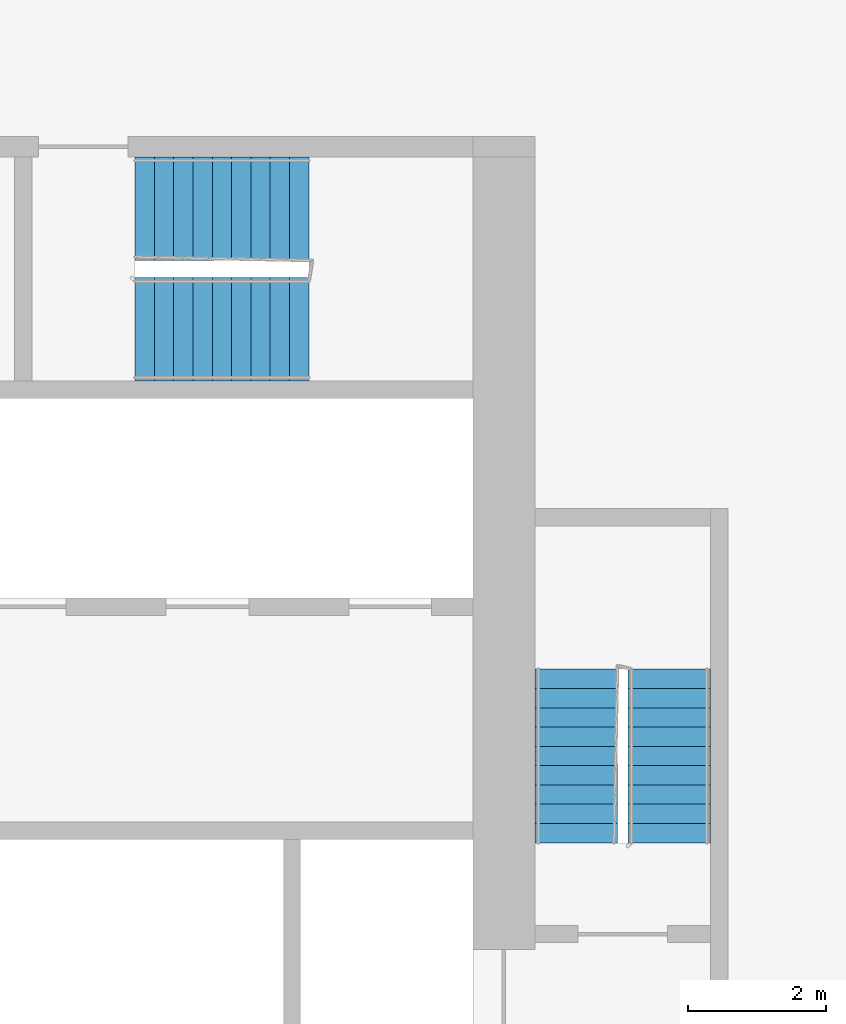
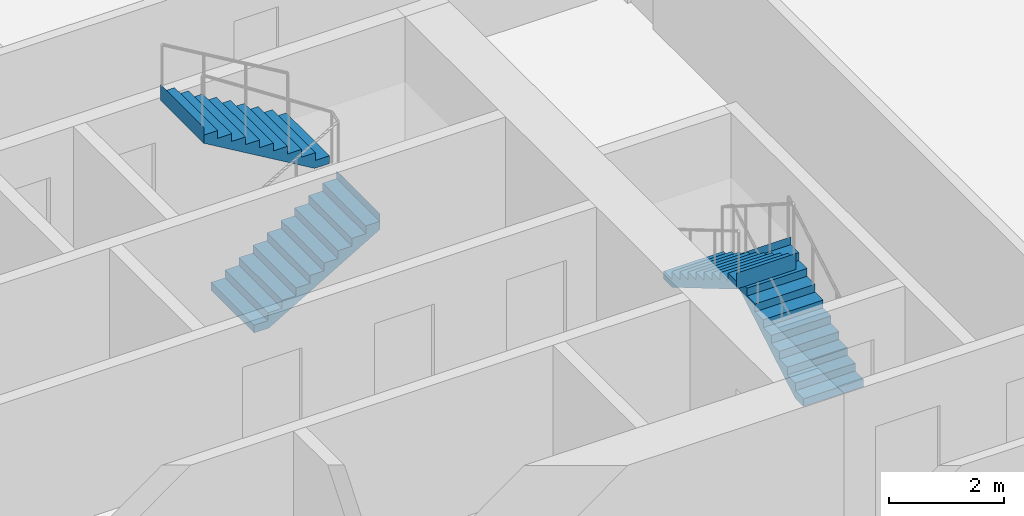
# One storey, part 11 of 13: 4 stair flights, 2 elements without a shape of their own.
"""IFC4 building model written with IfcOpenShell, lengths in metres."""

from ifc_helpers import new_model, si_unit, direction, frame, origin, place, context, subcontext, project, spatial, faceted_brep, material, type_object, element, aggregate, save


model = new_model("IFC4")

# Units and contexts
model_context = context("Model", 3, precision=1e-05, world=origin(), true_north=direction((0.0, 1.0)))
body_context = subcontext(model_context, "Body", "Model", "MODEL_VIEW")
ifc_project = project(units=[si_unit("LENGTHUNIT", "METRE"), si_unit("AREAUNIT", "SQUARE_METRE"), si_unit("VOLUMEUNIT", "CUBIC_METRE"), si_unit("PLANEANGLEUNIT", "RADIAN"), si_unit("MASSUNIT", "GRAM", prefix="KILO")], contexts=[model_context])

# Site, building, storey
site_placement = place(None, origin())
site = spatial("IfcSite", under=ifc_project, at=site_placement, CompositionType="ELEMENT")
building_placement = place(site_placement, origin())
building = spatial("IfcBuilding", under=site, at=building_placement, Name="Kajstack Hotel Tower", CompositionType="ELEMENT")
storey_placement = place(building_placement, frame((0.0, 0.0, 140.5)))
storey = spatial("IfcBuildingStorey", under=building, at=storey_placement, Name="L32", CompositionType="ELEMENT", Elevation=140.5)

# Stair, stair flights
ifc_material = material(Name="Concrete C40/50", Category="concrete")
stair_type_1 = type_object("IfcStairType", Name="Exit stair 1200", PredefinedType="HALF_TURN_STAIR", material=ifc_material)
stair_1_placement = place(storey_placement, origin())
stair_1 = element("IfcStair", 1, at=stair_1_placement, inside=storey, type_object=stair_type_1, Name="L32 stair E1", PredefinedType="HALF_TURN_STAIR")
stair_flight_type_1 = type_object("IfcStairFlightType", Name="Exit stair flight 1200", PredefinedType="STRAIGHT", material=ifc_material)
stair_flight_1_placement = place(storey_placement, frame((33.449951171875, 5.25, 0.0), z_axis=(0.0, 0.0, 1.0), x_axis=(0.0, 1.0, 0.0)))
stair_flight_1 = element("IfcStairFlight", 2, at=stair_flight_1_placement, type_object=stair_flight_type_1, Name="E1 flight 1", NumberOfRisers=10, NumberOfTreads=9, PredefinedType="STRAIGHT", RiserHeight=0.165, TreadLength=0.28, context=body_context, shape_type="Brep", body=[
    faceted_brep([(0.295654296875, -0.60009765625, 0.0), (2.5205078125, -0.60009765625, 1.31103515625), (2.5205078125, -0.60009765625, 1.64990234375), (2.52001953125, -0.60009765625, 1.64990234375), (2.52001953125, -0.60009765625, 1.485107421875), (2.239990234375, -0.60009765625, 1.485107421875), (2.239990234375, -0.60009765625, 1.320068359375), (1.9599609375, -0.60009765625, 1.320068359375), (1.9599609375, -0.60009765625, 1.155029296875), (1.679931640625, -0.60009765625, 1.155029296875), (1.679931640625, -0.60009765625, 0.989990234375), (1.39990234375, -0.60009765625, 0.989990234375), (1.39990234375, -0.60009765625, 0.824951171875), (1.1201171875, -0.60009765625, 0.824951171875), (1.1201171875, -0.60009765625, 0.659912109375), (0.840087890625, -0.60009765625, 0.659912109375), (0.840087890625, -0.60009765625, 0.4951171875), (0.56005859375, -0.60009765625, 0.4951171875), (0.56005859375, -0.60009765625, 0.330078125), (0.280029296875, -0.60009765625, 0.330078125), (0.280029296875, -0.60009765625, 0.1650390625), (-0.00048828125, -0.60009765625, 0.1650390625), (-0.00048828125, -0.60009765625, 0.0), (-0.00048828125, 0.60009765625, 0.0), (-0.00048828125, 0.60009765625, 0.1650390625), (0.280029296875, 0.60009765625, 0.1650390625), (0.280029296875, 0.60009765625, 0.330078125), (0.56005859375, 0.60009765625, 0.330078125), (0.56005859375, 0.60009765625, 0.4951171875), (0.840087890625, 0.60009765625, 0.4951171875), (0.840087890625, 0.60009765625, 0.659912109375), (1.1201171875, 0.60009765625, 0.659912109375), (1.1201171875, 0.60009765625, 0.824951171875), (1.39990234375, 0.60009765625, 0.824951171875), (1.39990234375, 0.60009765625, 0.989990234375), (1.679931640625, 0.60009765625, 0.989990234375), (1.679931640625, 0.60009765625, 1.155029296875), (1.9599609375, 0.60009765625, 1.155029296875), (1.9599609375, 0.60009765625, 1.320068359375), (2.239990234375, 0.60009765625, 1.320068359375), (2.239990234375, 0.60009765625, 1.485107421875), (2.52001953125, 0.60009765625, 1.485107421875), (2.52001953125, 0.60009765625, 1.64990234375), (2.5205078125, 0.60009765625, 1.64990234375), (2.5205078125, 0.60009765625, 1.31103515625), (0.295654296875, 0.60009765625, 0.0), (-0.00048828125, -0.300048828125, 0.1650390625), (-0.00048828125, 0.0, 0.1650390625), (-0.00048828125, 0.300048828125, 0.1650390625), (-0.00048828125, 0.300048828125, 0.0), (-0.00048828125, 0.0, 0.0), (-0.00048828125, -0.300048828125, 0.0), (0.280029296875, -0.300048828125, 0.1650390625), (0.280029296875, 0.0, 0.1650390625), (0.280029296875, 0.300048828125, 0.1650390625), (0.280029296875, -0.300048828125, 0.330078125), (0.280029296875, 0.0, 0.330078125), (0.280029296875, 0.300048828125, 0.330078125), (0.56005859375, -0.300048828125, 0.330078125), (0.56005859375, 0.0, 0.330078125), (0.56005859375, 0.300048828125, 0.330078125), (0.56005859375, -0.300048828125, 0.4951171875), (0.56005859375, 0.0, 0.4951171875), (0.56005859375, 0.300048828125, 0.4951171875), (0.840087890625, -0.300048828125, 0.4951171875), (0.840087890625, 0.0, 0.4951171875), (0.840087890625, 0.300048828125, 0.4951171875), (0.840087890625, -0.300048828125, 0.659912109375), (0.840087890625, 0.0, 0.659912109375), (0.840087890625, 0.300048828125, 0.659912109375), (1.1201171875, -0.300048828125, 0.659912109375), (1.1201171875, 0.0, 0.659912109375), (1.1201171875, 0.300048828125, 0.659912109375), (1.1201171875, -0.300048828125, 0.824951171875), (1.1201171875, 0.0, 0.824951171875), (1.1201171875, 0.300048828125, 0.824951171875), (1.39990234375, -0.300048828125, 0.824951171875), (1.39990234375, 0.0, 0.824951171875), (1.39990234375, 0.300048828125, 0.824951171875), (1.39990234375, -0.300048828125, 0.989990234375), (1.39990234375, 0.0, 0.989990234375), (1.39990234375, 0.300048828125, 0.989990234375), (1.679931640625, -0.300048828125, 0.989990234375), (1.679931640625, 0.0, 0.989990234375), (1.679931640625, 0.300048828125, 0.989990234375), (1.679931640625, -0.300048828125, 1.155029296875), (1.679931640625, 0.0, 1.155029296875), (1.679931640625, 0.300048828125, 1.155029296875), (1.9599609375, -0.300048828125, 1.155029296875), (1.9599609375, 0.0, 1.155029296875), (1.9599609375, 0.300048828125, 1.155029296875), (1.9599609375, -0.300048828125, 1.320068359375), (1.9599609375, 0.0, 1.320068359375), (1.9599609375, 0.300048828125, 1.320068359375), (2.239990234375, -0.300048828125, 1.320068359375), (2.239990234375, 0.0, 1.320068359375), (2.239990234375, 0.300048828125, 1.320068359375), (2.239990234375, -0.300048828125, 1.485107421875), (2.239990234375, 0.0, 1.485107421875), (2.239990234375, 0.300048828125, 1.485107421875), (2.52001953125, -0.300048828125, 1.485107421875), (2.52001953125, 0.0, 1.485107421875), (2.52001953125, 0.300048828125, 1.485107421875), (2.52001953125, -0.300048828125, 1.64990234375), (2.52001953125, 0.0, 1.64990234375), (2.52001953125, 0.300048828125, 1.64990234375), (2.5205078125, -0.300048828125, 1.64990234375), (2.5205078125, 0.0, 1.64990234375), (2.5205078125, 0.300048828125, 1.64990234375), (2.5205078125, -0.300048828125, 1.31103515625), (2.5205078125, 0.0, 1.31103515625), (2.5205078125, 0.300048828125, 1.31103515625), (0.295654296875, -0.300048828125, 0.0), (0.295654296875, 0.0, 0.0), (0.295654296875, 0.300048828125, 0.0)], [[[0, 1, 2, 3, 4, 5, 6, 7, 8, 9, 10, 11, 12, 13, 14, 15, 16, 17, 18, 19, 20, 21, 22]], [[23, 24, 25, 26, 27, 28, 29, 30, 31, 32, 33, 34, 35, 36, 37, 38, 39, 40, 41, 42, 43, 44, 45]], [[21, 46, 47, 48, 24, 23, 49, 50, 51, 22]], [[20, 52, 53, 54, 25, 24, 48, 47, 46, 21]], [[19, 55, 56, 57, 26, 25, 54, 53, 52, 20]], [[18, 58, 59, 60, 27, 26, 57, 56, 55, 19]], [[17, 61, 62, 63, 28, 27, 60, 59, 58, 18]], [[16, 64, 65, 66, 29, 28, 63, 62, 61, 17]], [[15, 67, 68, 69, 30, 29, 66, 65, 64, 16]], [[14, 70, 71, 72, 31, 30, 69, 68, 67, 15]], [[13, 73, 74, 75, 32, 31, 72, 71, 70, 14]], [[12, 76, 77, 78, 33, 32, 75, 74, 73, 13]], [[11, 79, 80, 81, 34, 33, 78, 77, 76, 12]], [[10, 82, 83, 84, 35, 34, 81, 80, 79, 11]], [[9, 85, 86, 87, 36, 35, 84, 83, 82, 10]], [[8, 88, 89, 90, 37, 36, 87, 86, 85, 9]], [[7, 91, 92, 93, 38, 37, 90, 89, 88, 8]], [[6, 94, 95, 96, 39, 38, 93, 92, 91, 7]], [[5, 97, 98, 99, 40, 39, 96, 95, 94, 6]], [[4, 100, 101, 102, 41, 40, 99, 98, 97, 5]], [[3, 103, 104, 105, 42, 41, 102, 101, 100, 4]], [[2, 106, 107, 108, 43, 42, 105, 104, 103, 3]], [[1, 109, 110, 111, 44, 43, 108, 107, 106, 2]], [[0, 112, 113, 114, 45, 44, 111, 110, 109, 1]], [[22, 51, 50, 49, 23, 45, 114, 113, 112, 0]]]),
])
stair_flight_2_placement = place(storey_placement, frame((32.10009765625, 7.77001953125, 1.64990234375), z_axis=(0.0, 0.0, 1.0), x_axis=(0.0, -1.0, 0.0)))
stair_flight_2 = element("IfcStairFlight", 3, at=stair_flight_2_placement, type_object=stair_flight_type_1, Name="E1 flight 2", NumberOfRisers=10, NumberOfTreads=9, PredefinedType="STRAIGHT", RiserHeight=0.165, TreadLength=0.28, context=body_context, shape_type="Brep", body=[
    faceted_brep([(0.295654296875, -0.60009765625, 0.0), (2.5205078125, -0.60009765625, 1.31103515625), (2.5205078125, -0.60009765625, 1.64990234375), (2.52001953125, -0.60009765625, 1.64990234375), (2.52001953125, -0.60009765625, 1.485107421875), (2.239990234375, -0.60009765625, 1.485107421875), (2.239990234375, -0.60009765625, 1.320068359375), (1.9599609375, -0.60009765625, 1.320068359375), (1.9599609375, -0.60009765625, 1.155029296875), (1.679931640625, -0.60009765625, 1.155029296875), (1.679931640625, -0.60009765625, 0.989990234375), (1.39990234375, -0.60009765625, 0.989990234375), (1.39990234375, -0.60009765625, 0.824951171875), (1.1201171875, -0.60009765625, 0.824951171875), (1.1201171875, -0.60009765625, 0.659912109375), (0.840087890625, -0.60009765625, 0.659912109375), (0.840087890625, -0.60009765625, 0.4951171875), (0.56005859375, -0.60009765625, 0.4951171875), (0.56005859375, -0.60009765625, 0.330078125), (0.280029296875, -0.60009765625, 0.330078125), (0.280029296875, -0.60009765625, 0.1650390625), (-0.00048828125, -0.60009765625, 0.1650390625), (-0.00048828125, -0.60009765625, 0.0), (-0.00048828125, 0.60009765625, 0.0), (-0.00048828125, 0.60009765625, 0.1650390625), (0.280029296875, 0.60009765625, 0.1650390625), (0.280029296875, 0.60009765625, 0.330078125), (0.56005859375, 0.60009765625, 0.330078125), (0.56005859375, 0.60009765625, 0.4951171875), (0.840087890625, 0.60009765625, 0.4951171875), (0.840087890625, 0.60009765625, 0.659912109375), (1.1201171875, 0.60009765625, 0.659912109375), (1.1201171875, 0.60009765625, 0.824951171875), (1.39990234375, 0.60009765625, 0.824951171875), (1.39990234375, 0.60009765625, 0.989990234375), (1.679931640625, 0.60009765625, 0.989990234375), (1.679931640625, 0.60009765625, 1.155029296875), (1.9599609375, 0.60009765625, 1.155029296875), (1.9599609375, 0.60009765625, 1.320068359375), (2.239990234375, 0.60009765625, 1.320068359375), (2.239990234375, 0.60009765625, 1.485107421875), (2.52001953125, 0.60009765625, 1.485107421875), (2.52001953125, 0.60009765625, 1.64990234375), (2.5205078125, 0.60009765625, 1.64990234375), (2.5205078125, 0.60009765625, 1.31103515625), (0.295654296875, 0.60009765625, 0.0), (-0.00048828125, -0.300048828125, 0.1650390625), (-0.00048828125, 0.0, 0.1650390625), (-0.00048828125, 0.300048828125, 0.1650390625), (-0.00048828125, 0.300048828125, 0.0), (-0.00048828125, 0.0, 0.0), (-0.00048828125, -0.300048828125, 0.0), (0.280029296875, -0.300048828125, 0.1650390625), (0.280029296875, 0.0, 0.1650390625), (0.280029296875, 0.300048828125, 0.1650390625), (0.280029296875, -0.300048828125, 0.330078125), (0.280029296875, 0.0, 0.330078125), (0.280029296875, 0.300048828125, 0.330078125), (0.56005859375, -0.300048828125, 0.330078125), (0.56005859375, 0.0, 0.330078125), (0.56005859375, 0.300048828125, 0.330078125), (0.56005859375, -0.300048828125, 0.4951171875), (0.56005859375, 0.0, 0.4951171875), (0.56005859375, 0.300048828125, 0.4951171875), (0.840087890625, -0.300048828125, 0.4951171875), (0.840087890625, 0.0, 0.4951171875), (0.840087890625, 0.300048828125, 0.4951171875), (0.840087890625, -0.300048828125, 0.659912109375), (0.840087890625, 0.0, 0.659912109375), (0.840087890625, 0.300048828125, 0.659912109375), (1.1201171875, -0.300048828125, 0.659912109375), (1.1201171875, 0.0, 0.659912109375), (1.1201171875, 0.300048828125, 0.659912109375), (1.1201171875, -0.300048828125, 0.824951171875), (1.1201171875, 0.0, 0.824951171875), (1.1201171875, 0.300048828125, 0.824951171875), (1.39990234375, -0.300048828125, 0.824951171875), (1.39990234375, 0.0, 0.824951171875), (1.39990234375, 0.300048828125, 0.824951171875), (1.39990234375, -0.300048828125, 0.989990234375), (1.39990234375, 0.0, 0.989990234375), (1.39990234375, 0.300048828125, 0.989990234375), (1.679931640625, -0.300048828125, 0.989990234375), (1.679931640625, 0.0, 0.989990234375), (1.679931640625, 0.300048828125, 0.989990234375), (1.679931640625, -0.300048828125, 1.155029296875), (1.679931640625, 0.0, 1.155029296875), (1.679931640625, 0.300048828125, 1.155029296875), (1.9599609375, -0.300048828125, 1.155029296875), (1.9599609375, 0.0, 1.155029296875), (1.9599609375, 0.300048828125, 1.155029296875), (1.9599609375, -0.300048828125, 1.320068359375), (1.9599609375, 0.0, 1.320068359375), (1.9599609375, 0.300048828125, 1.320068359375), (2.239990234375, -0.300048828125, 1.320068359375), (2.239990234375, 0.0, 1.320068359375), (2.239990234375, 0.300048828125, 1.320068359375), (2.239990234375, -0.300048828125, 1.485107421875), (2.239990234375, 0.0, 1.485107421875), (2.239990234375, 0.300048828125, 1.485107421875), (2.52001953125, -0.300048828125, 1.485107421875), (2.52001953125, 0.0, 1.485107421875), (2.52001953125, 0.300048828125, 1.485107421875), (2.52001953125, -0.300048828125, 1.64990234375), (2.52001953125, 0.0, 1.64990234375), (2.52001953125, 0.300048828125, 1.64990234375), (2.5205078125, -0.300048828125, 1.64990234375), (2.5205078125, 0.0, 1.64990234375), (2.5205078125, 0.300048828125, 1.64990234375), (2.5205078125, -0.300048828125, 1.31103515625), (2.5205078125, 0.0, 1.31103515625), (2.5205078125, 0.300048828125, 1.31103515625), (0.295654296875, -0.300048828125, 0.0), (0.295654296875, 0.0, 0.0), (0.295654296875, 0.300048828125, 0.0)], [[[0, 1, 2, 3, 4, 5, 6, 7, 8, 9, 10, 11, 12, 13, 14, 15, 16, 17, 18, 19, 20, 21, 22]], [[23, 24, 25, 26, 27, 28, 29, 30, 31, 32, 33, 34, 35, 36, 37, 38, 39, 40, 41, 42, 43, 44, 45]], [[21, 46, 47, 48, 24, 23, 49, 50, 51, 22]], [[20, 52, 53, 54, 25, 24, 48, 47, 46, 21]], [[19, 55, 56, 57, 26, 25, 54, 53, 52, 20]], [[18, 58, 59, 60, 27, 26, 57, 56, 55, 19]], [[17, 61, 62, 63, 28, 27, 60, 59, 58, 18]], [[16, 64, 65, 66, 29, 28, 63, 62, 61, 17]], [[15, 67, 68, 69, 30, 29, 66, 65, 64, 16]], [[14, 70, 71, 72, 31, 30, 69, 68, 67, 15]], [[13, 73, 74, 75, 32, 31, 72, 71, 70, 14]], [[12, 76, 77, 78, 33, 32, 75, 74, 73, 13]], [[11, 79, 80, 81, 34, 33, 78, 77, 76, 12]], [[10, 82, 83, 84, 35, 34, 81, 80, 79, 11]], [[9, 85, 86, 87, 36, 35, 84, 83, 82, 10]], [[8, 88, 89, 90, 37, 36, 87, 86, 85, 9]], [[7, 91, 92, 93, 38, 37, 90, 89, 88, 8]], [[6, 94, 95, 96, 39, 38, 93, 92, 91, 7]], [[5, 97, 98, 99, 40, 39, 96, 95, 94, 6]], [[4, 100, 101, 102, 41, 40, 99, 98, 97, 5]], [[3, 103, 104, 105, 42, 41, 102, 101, 100, 4]], [[2, 106, 107, 108, 43, 42, 105, 104, 103, 3]], [[1, 109, 110, 111, 44, 43, 108, 107, 106, 2]], [[0, 112, 113, 114, 45, 44, 111, 110, 109, 1]], [[22, 51, 50, 49, 23, 45, 114, 113, 112, 0]]]),
])
aggregate(stair_1, [stair_flight_1, stair_flight_2])

stair_type_2 = type_object("IfcStairType", Name="Exit stair 1500", PredefinedType="HALF_TURN_STAIR", material=ifc_material)
stair_2_placement = place(storey_placement, origin())
stair_2 = element("IfcStair", 4, at=stair_2_placement, inside=storey, type_object=stair_type_2, Name="L32 stair E3", PredefinedType="HALF_TURN_STAIR")
stair_flight_type_2 = type_object("IfcStairFlightType", Name="Exit stair flight 1500", PredefinedType="STRAIGHT", material=ifc_material)
stair_flight_3_placement = place(storey_placement, frame((25.699951171875, 12.699951171875, 0.0), z_axis=(0.0, 0.0, 1.0), x_axis=(1.0, 0.0, 0.0)))
stair_flight_3 = element("IfcStairFlight", 5, at=stair_flight_3_placement, type_object=stair_flight_type_2, Name="E3 flight 1", NumberOfRisers=10, NumberOfTreads=9, PredefinedType="STRAIGHT", RiserHeight=0.165, TreadLength=0.28, context=body_context, shape_type="Brep", body=[
    faceted_brep([(0.295654296875, -0.75, 0.0), (2.5205078125, -0.75, 1.31103515625), (2.5205078125, -0.75, 1.64990234375), (2.52001953125, -0.75, 1.64990234375), (2.52001953125, -0.75, 1.485107421875), (2.239990234375, -0.75, 1.485107421875), (2.239990234375, -0.75, 1.320068359375), (1.9599609375, -0.75, 1.320068359375), (1.9599609375, -0.75, 1.155029296875), (1.679931640625, -0.75, 1.155029296875), (1.679931640625, -0.75, 0.989990234375), (1.39990234375, -0.75, 0.989990234375), (1.39990234375, -0.75, 0.824951171875), (1.1201171875, -0.75, 0.824951171875), (1.1201171875, -0.75, 0.659912109375), (0.840087890625, -0.75, 0.659912109375), (0.840087890625, -0.75, 0.4951171875), (0.56005859375, -0.75, 0.4951171875), (0.56005859375, -0.75, 0.330078125), (0.280029296875, -0.75, 0.330078125), (0.280029296875, -0.75, 0.1650390625), (-0.00048828125, -0.75, 0.1650390625), (-0.00048828125, -0.75, 0.0), (-0.00048828125, 0.75, 0.0), (-0.00048828125, 0.75, 0.1650390625), (0.280029296875, 0.75, 0.1650390625), (0.280029296875, 0.75, 0.330078125), (0.56005859375, 0.75, 0.330078125), (0.56005859375, 0.75, 0.4951171875), (0.840087890625, 0.75, 0.4951171875), (0.840087890625, 0.75, 0.659912109375), (1.1201171875, 0.75, 0.659912109375), (1.1201171875, 0.75, 0.824951171875), (1.39990234375, 0.75, 0.824951171875), (1.39990234375, 0.75, 0.989990234375), (1.679931640625, 0.75, 0.989990234375), (1.679931640625, 0.75, 1.155029296875), (1.9599609375, 0.75, 1.155029296875), (1.9599609375, 0.75, 1.320068359375), (2.239990234375, 0.75, 1.320068359375), (2.239990234375, 0.75, 1.485107421875), (2.52001953125, 0.75, 1.485107421875), (2.52001953125, 0.75, 1.64990234375), (2.5205078125, 0.75, 1.64990234375), (2.5205078125, 0.75, 1.31103515625), (0.295654296875, 0.75, 0.0), (-0.00048828125, -0.375, 0.1650390625), (-0.00048828125, 0.0, 0.1650390625), (-0.00048828125, 0.375, 0.1650390625), (-0.00048828125, 0.375, 0.0), (-0.00048828125, 0.0, 0.0), (-0.00048828125, -0.375, 0.0), (0.280029296875, -0.375, 0.1650390625), (0.280029296875, 0.0, 0.1650390625), (0.280029296875, 0.375, 0.1650390625), (0.280029296875, -0.375, 0.330078125), (0.280029296875, 0.0, 0.330078125), (0.280029296875, 0.375, 0.330078125), (0.56005859375, -0.375, 0.330078125), (0.56005859375, 0.0, 0.330078125), (0.56005859375, 0.375, 0.330078125), (0.56005859375, -0.375, 0.4951171875), (0.56005859375, 0.0, 0.4951171875), (0.56005859375, 0.375, 0.4951171875), (0.840087890625, -0.375, 0.4951171875), (0.840087890625, 0.0, 0.4951171875), (0.840087890625, 0.375, 0.4951171875), (0.840087890625, -0.375, 0.659912109375), (0.840087890625, 0.0, 0.659912109375), (0.840087890625, 0.375, 0.659912109375), (1.1201171875, -0.375, 0.659912109375), (1.1201171875, 0.0, 0.659912109375), (1.1201171875, 0.375, 0.659912109375), (1.1201171875, -0.375, 0.824951171875), (1.1201171875, 0.0, 0.824951171875), (1.1201171875, 0.375, 0.824951171875), (1.39990234375, -0.375, 0.824951171875), (1.39990234375, 0.0, 0.824951171875), (1.39990234375, 0.375, 0.824951171875), (1.39990234375, -0.375, 0.989990234375), (1.39990234375, 0.0, 0.989990234375), (1.39990234375, 0.375, 0.989990234375), (1.679931640625, -0.375, 0.989990234375), (1.679931640625, 0.0, 0.989990234375), (1.679931640625, 0.375, 0.989990234375), (1.679931640625, -0.375, 1.155029296875), (1.679931640625, 0.0, 1.155029296875), (1.679931640625, 0.375, 1.155029296875), (1.9599609375, -0.375, 1.155029296875), (1.9599609375, 0.0, 1.155029296875), (1.9599609375, 0.375, 1.155029296875), (1.9599609375, -0.375, 1.320068359375), (1.9599609375, 0.0, 1.320068359375), (1.9599609375, 0.375, 1.320068359375), (2.239990234375, -0.375, 1.320068359375), (2.239990234375, 0.0, 1.320068359375), (2.239990234375, 0.375, 1.320068359375), (2.239990234375, -0.375, 1.485107421875), (2.239990234375, 0.0, 1.485107421875), (2.239990234375, 0.375, 1.485107421875), (2.52001953125, -0.375, 1.485107421875), (2.52001953125, 0.0, 1.485107421875), (2.52001953125, 0.375, 1.485107421875), (2.52001953125, -0.375, 1.64990234375), (2.52001953125, 0.0, 1.64990234375), (2.52001953125, 0.375, 1.64990234375), (2.5205078125, -0.375, 1.64990234375), (2.5205078125, 0.0, 1.64990234375), (2.5205078125, 0.375, 1.64990234375), (2.5205078125, -0.375, 1.31103515625), (2.5205078125, 0.0, 1.31103515625), (2.5205078125, 0.375, 1.31103515625), (0.295654296875, -0.375, 0.0), (0.295654296875, 0.0, 0.0), (0.295654296875, 0.375, 0.0)], [[[0, 1, 2, 3, 4, 5, 6, 7, 8, 9, 10, 11, 12, 13, 14, 15, 16, 17, 18, 19, 20, 21, 22]], [[23, 24, 25, 26, 27, 28, 29, 30, 31, 32, 33, 34, 35, 36, 37, 38, 39, 40, 41, 42, 43, 44, 45]], [[21, 46, 47, 48, 24, 23, 49, 50, 51, 22]], [[20, 52, 53, 54, 25, 24, 48, 47, 46, 21]], [[19, 55, 56, 57, 26, 25, 54, 53, 52, 20]], [[18, 58, 59, 60, 27, 26, 57, 56, 55, 19]], [[17, 61, 62, 63, 28, 27, 60, 59, 58, 18]], [[16, 64, 65, 66, 29, 28, 63, 62, 61, 17]], [[15, 67, 68, 69, 30, 29, 66, 65, 64, 16]], [[14, 70, 71, 72, 31, 30, 69, 68, 67, 15]], [[13, 73, 74, 75, 32, 31, 72, 71, 70, 14]], [[12, 76, 77, 78, 33, 32, 75, 74, 73, 13]], [[11, 79, 80, 81, 34, 33, 78, 77, 76, 12]], [[10, 82, 83, 84, 35, 34, 81, 80, 79, 11]], [[9, 85, 86, 87, 36, 35, 84, 83, 82, 10]], [[8, 88, 89, 90, 37, 36, 87, 86, 85, 9]], [[7, 91, 92, 93, 38, 37, 90, 89, 88, 8]], [[6, 94, 95, 96, 39, 38, 93, 92, 91, 7]], [[5, 97, 98, 99, 40, 39, 96, 95, 94, 6]], [[4, 100, 101, 102, 41, 40, 99, 98, 97, 5]], [[3, 103, 104, 105, 42, 41, 102, 101, 100, 4]], [[2, 106, 107, 108, 43, 42, 105, 104, 103, 3]], [[1, 109, 110, 111, 44, 43, 108, 107, 106, 2]], [[0, 112, 113, 114, 45, 44, 111, 110, 109, 1]], [[22, 51, 50, 49, 23, 45, 114, 113, 112, 0]]]),
])
stair_flight_4_placement = place(storey_placement, frame((28.219970703125, 14.449951171875, 1.64990234375), z_axis=(0.0, 0.0, 1.0), x_axis=(-1.0, 0.0, 0.0)))
stair_flight_4 = element("IfcStairFlight", 6, at=stair_flight_4_placement, type_object=stair_flight_type_2, Name="E3 flight 2", NumberOfRisers=10, NumberOfTreads=9, PredefinedType="STRAIGHT", RiserHeight=0.165, TreadLength=0.28, context=body_context, shape_type="Brep", body=[
    faceted_brep([(0.295654296875, -0.75, 0.0), (2.5205078125, -0.75, 1.31103515625), (2.5205078125, -0.75, 1.64990234375), (2.52001953125, -0.75, 1.64990234375), (2.52001953125, -0.75, 1.485107421875), (2.239990234375, -0.75, 1.485107421875), (2.239990234375, -0.75, 1.320068359375), (1.9599609375, -0.75, 1.320068359375), (1.9599609375, -0.75, 1.155029296875), (1.679931640625, -0.75, 1.155029296875), (1.679931640625, -0.75, 0.989990234375), (1.39990234375, -0.75, 0.989990234375), (1.39990234375, -0.75, 0.824951171875), (1.1201171875, -0.75, 0.824951171875), (1.1201171875, -0.75, 0.659912109375), (0.840087890625, -0.75, 0.659912109375), (0.840087890625, -0.75, 0.4951171875), (0.56005859375, -0.75, 0.4951171875), (0.56005859375, -0.75, 0.330078125), (0.280029296875, -0.75, 0.330078125), (0.280029296875, -0.75, 0.1650390625), (-0.00048828125, -0.75, 0.1650390625), (-0.00048828125, -0.75, 0.0), (-0.00048828125, 0.75, 0.0), (-0.00048828125, 0.75, 0.1650390625), (0.280029296875, 0.75, 0.1650390625), (0.280029296875, 0.75, 0.330078125), (0.56005859375, 0.75, 0.330078125), (0.56005859375, 0.75, 0.4951171875), (0.840087890625, 0.75, 0.4951171875), (0.840087890625, 0.75, 0.659912109375), (1.1201171875, 0.75, 0.659912109375), (1.1201171875, 0.75, 0.824951171875), (1.39990234375, 0.75, 0.824951171875), (1.39990234375, 0.75, 0.989990234375), (1.679931640625, 0.75, 0.989990234375), (1.679931640625, 0.75, 1.155029296875), (1.9599609375, 0.75, 1.155029296875), (1.9599609375, 0.75, 1.320068359375), (2.239990234375, 0.75, 1.320068359375), (2.239990234375, 0.75, 1.485107421875), (2.52001953125, 0.75, 1.485107421875), (2.52001953125, 0.75, 1.64990234375), (2.5205078125, 0.75, 1.64990234375), (2.5205078125, 0.75, 1.31103515625), (0.295654296875, 0.75, 0.0), (-0.00048828125, -0.375, 0.1650390625), (-0.00048828125, 0.0, 0.1650390625), (-0.00048828125, 0.375, 0.1650390625), (-0.00048828125, 0.375, 0.0), (-0.00048828125, 0.0, 0.0), (-0.00048828125, -0.375, 0.0), (0.280029296875, -0.375, 0.1650390625), (0.280029296875, 0.0, 0.1650390625), (0.280029296875, 0.375, 0.1650390625), (0.280029296875, -0.375, 0.330078125), (0.280029296875, 0.0, 0.330078125), (0.280029296875, 0.375, 0.330078125), (0.56005859375, -0.375, 0.330078125), (0.56005859375, 0.0, 0.330078125), (0.56005859375, 0.375, 0.330078125), (0.56005859375, -0.375, 0.4951171875), (0.56005859375, 0.0, 0.4951171875), (0.56005859375, 0.375, 0.4951171875), (0.840087890625, -0.375, 0.4951171875), (0.840087890625, 0.0, 0.4951171875), (0.840087890625, 0.375, 0.4951171875), (0.840087890625, -0.375, 0.659912109375), (0.840087890625, 0.0, 0.659912109375), (0.840087890625, 0.375, 0.659912109375), (1.1201171875, -0.375, 0.659912109375), (1.1201171875, 0.0, 0.659912109375), (1.1201171875, 0.375, 0.659912109375), (1.1201171875, -0.375, 0.824951171875), (1.1201171875, 0.0, 0.824951171875), (1.1201171875, 0.375, 0.824951171875), (1.39990234375, -0.375, 0.824951171875), (1.39990234375, 0.0, 0.824951171875), (1.39990234375, 0.375, 0.824951171875), (1.39990234375, -0.375, 0.989990234375), (1.39990234375, 0.0, 0.989990234375), (1.39990234375, 0.375, 0.989990234375), (1.679931640625, -0.375, 0.989990234375), (1.679931640625, 0.0, 0.989990234375), (1.679931640625, 0.375, 0.989990234375), (1.679931640625, -0.375, 1.155029296875), (1.679931640625, 0.0, 1.155029296875), (1.679931640625, 0.375, 1.155029296875), (1.9599609375, -0.375, 1.155029296875), (1.9599609375, 0.0, 1.155029296875), (1.9599609375, 0.375, 1.155029296875), (1.9599609375, -0.375, 1.320068359375), (1.9599609375, 0.0, 1.320068359375), (1.9599609375, 0.375, 1.320068359375), (2.239990234375, -0.375, 1.320068359375), (2.239990234375, 0.0, 1.320068359375), (2.239990234375, 0.375, 1.320068359375), (2.239990234375, -0.375, 1.485107421875), (2.239990234375, 0.0, 1.485107421875), (2.239990234375, 0.375, 1.485107421875), (2.52001953125, -0.375, 1.485107421875), (2.52001953125, 0.0, 1.485107421875), (2.52001953125, 0.375, 1.485107421875), (2.52001953125, -0.375, 1.64990234375), (2.52001953125, 0.0, 1.64990234375), (2.52001953125, 0.375, 1.64990234375), (2.5205078125, -0.375, 1.64990234375), (2.5205078125, 0.0, 1.64990234375), (2.5205078125, 0.375, 1.64990234375), (2.5205078125, -0.375, 1.31103515625), (2.5205078125, 0.0, 1.31103515625), (2.5205078125, 0.375, 1.31103515625), (0.295654296875, -0.375, 0.0), (0.295654296875, 0.0, 0.0), (0.295654296875, 0.375, 0.0)], [[[0, 1, 2, 3, 4, 5, 6, 7, 8, 9, 10, 11, 12, 13, 14, 15, 16, 17, 18, 19, 20, 21, 22]], [[23, 24, 25, 26, 27, 28, 29, 30, 31, 32, 33, 34, 35, 36, 37, 38, 39, 40, 41, 42, 43, 44, 45]], [[21, 46, 47, 48, 24, 23, 49, 50, 51, 22]], [[20, 52, 53, 54, 25, 24, 48, 47, 46, 21]], [[19, 55, 56, 57, 26, 25, 54, 53, 52, 20]], [[18, 58, 59, 60, 27, 26, 57, 56, 55, 19]], [[17, 61, 62, 63, 28, 27, 60, 59, 58, 18]], [[16, 64, 65, 66, 29, 28, 63, 62, 61, 17]], [[15, 67, 68, 69, 30, 29, 66, 65, 64, 16]], [[14, 70, 71, 72, 31, 30, 69, 68, 67, 15]], [[13, 73, 74, 75, 32, 31, 72, 71, 70, 14]], [[12, 76, 77, 78, 33, 32, 75, 74, 73, 13]], [[11, 79, 80, 81, 34, 33, 78, 77, 76, 12]], [[10, 82, 83, 84, 35, 34, 81, 80, 79, 11]], [[9, 85, 86, 87, 36, 35, 84, 83, 82, 10]], [[8, 88, 89, 90, 37, 36, 87, 86, 85, 9]], [[7, 91, 92, 93, 38, 37, 90, 89, 88, 8]], [[6, 94, 95, 96, 39, 38, 93, 92, 91, 7]], [[5, 97, 98, 99, 40, 39, 96, 95, 94, 6]], [[4, 100, 101, 102, 41, 40, 99, 98, 97, 5]], [[3, 103, 104, 105, 42, 41, 102, 101, 100, 4]], [[2, 106, 107, 108, 43, 42, 105, 104, 103, 3]], [[1, 109, 110, 111, 44, 43, 108, 107, 106, 2]], [[0, 112, 113, 114, 45, 44, 111, 110, 109, 1]], [[22, 51, 50, 49, 23, 45, 114, 113, 112, 0]]]),
])
aggregate(stair_2, [stair_flight_3, stair_flight_4])

save(model, "model.ifc")
